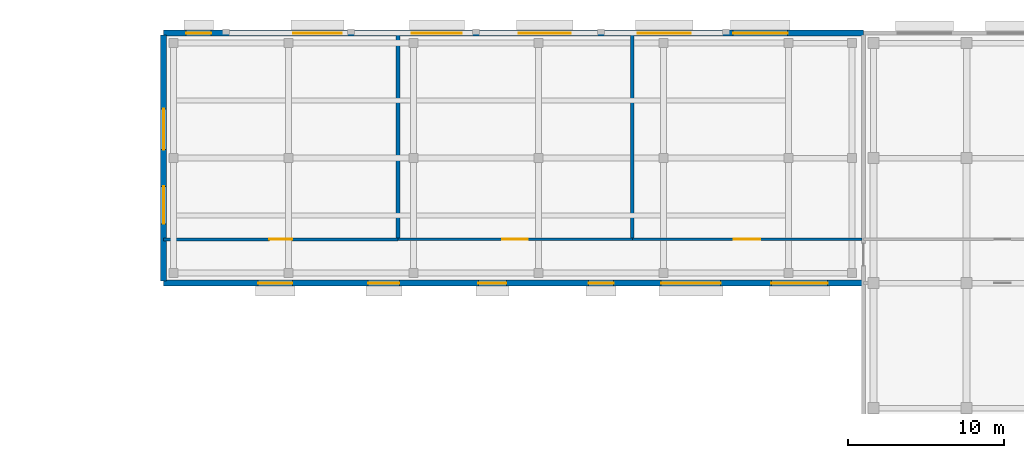
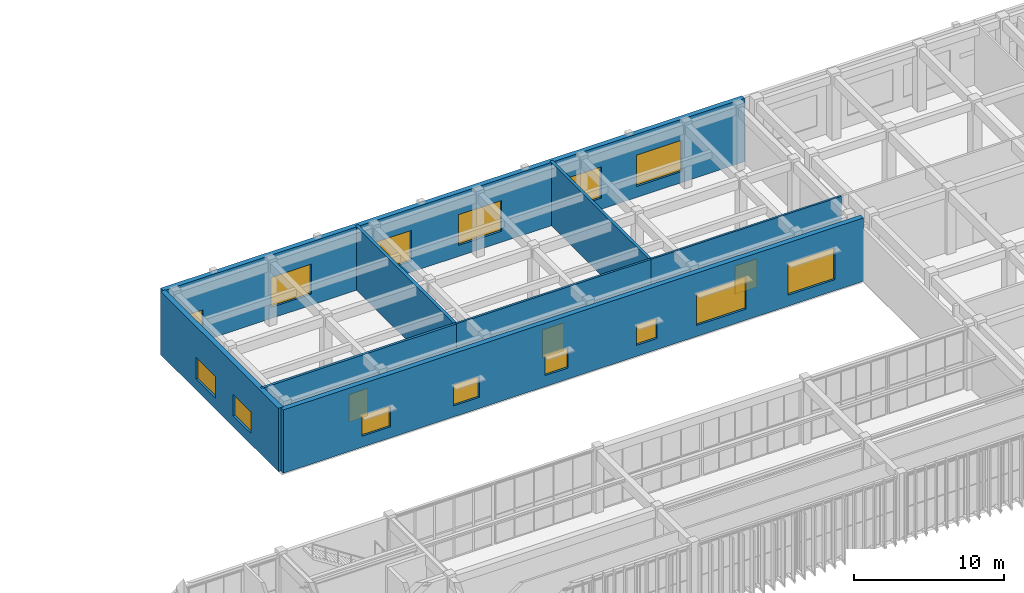
# One storey, part 42 of 64: 14 windows, 8 walls, 3 doors, 17 openings.
"""IFC4 building model written with IfcOpenShell, lengths in metres."""

import ifcopenshell
import ifcopenshell.guid

model = None  # the IFC model being written
_history = None  # IfcOwnerHistory: only IFC2X3 demands one
_inside = {}  # id of a spatial element -> (the spatial element, [elements in it])
_under = {}  # id of a project, library or spatial element -> (it, [spatial elements below it])
_declared = {}  # id of a project -> (the project, [libraries it declares])
_typed = {}  # id of a type object -> (the type object, [elements of that type])
_made_of = {}  # id of a material, layer set ... -> (it, [elements and type objects made of it])


def new_model(schema):
    """Start an empty IFC model of exactly this schema.

    Asked for "IFC4X3", IfcOpenShell would pick the latest addendum, in which some entities
    have other attributes; the version numbers below select the first issue.
    IFC2X3 requires an IfcOwnerHistory on every rooted entity: one is made here for all.
    """
    global model, _history
    if schema == "IFC4X3":
        model = ifcopenshell.file(schema_version=(4, 3, 0, 0))
    else:
        model = ifcopenshell.file(schema=schema)
    _inside.clear()
    _under.clear()
    _declared.clear()
    _typed.clear()
    _made_of.clear()
    _history = None
    if model.schema == "IFC2X3":
        org = make("IfcOrganization", Name="unknown")
        user = make(
            "IfcPersonAndOrganization",
            ThePerson=make("IfcPerson", FamilyName="unknown"),
            TheOrganization=org,
        )
        app = make(
            "IfcApplication",
            ApplicationDeveloper=org,
            Version="unknown",
            ApplicationFullName="unknown",
            ApplicationIdentifier="unknown",
        )
        _history = make(
            "IfcOwnerHistory",
            OwningUser=user,
            OwningApplication=app,
            ChangeAction="ADDED",
            CreationDate=0,
        )
    return model


def make(cls, **values):
    """One entity of the class cls with the attributes given. An attribute that is None is left unset."""
    return model.create_entity(
        cls, **{name: value for name, value in values.items() if value is not None}
    )


def rooted(cls, **values):
    """An entity with a GlobalId (a new one), such as an element, a storey or a relation."""
    return make(cls, GlobalId=ifcopenshell.guid.new(), OwnerHistory=_history, **values)


def si_unit(unit_type, name, prefix=None):
    """IfcSIUnit, for example si_unit("LENGTHUNIT", "METRE", prefix="MILLI")."""
    return make("IfcSIUnit", UnitType=unit_type, Prefix=prefix, Name=name)


def assignment(units):
    """IfcUnitAssignment: the units of a project."""
    return None if units is None else make("IfcUnitAssignment", Units=units)


def point(xyz):
    """IfcCartesianPoint."""
    return None if xyz is None else make("IfcCartesianPoint", Coordinates=xyz)


def direction(xyz):
    """IfcDirection."""
    return None if xyz is None else make("IfcDirection", DirectionRatios=xyz)


def frame(location, z_axis=None, x_axis=None):
    """IfcAxis2Placement3D, a coordinate frame: its origin and axes. An axis left out is left unset."""
    return make(
        "IfcAxis2Placement3D",
        Location=point(location),
        Axis=direction(z_axis),
        RefDirection=direction(x_axis),
    )


def frame_2d(location, x_axis=None):
    """IfcAxis2Placement2D, a coordinate frame in the plane: its origin and x axis."""
    return make(
        "IfcAxis2Placement2D", Location=point(location), RefDirection=direction(x_axis)
    )


def origin():
    """The frame at (0, 0, 0) with its axes left unset."""
    return frame((0.0, 0.0, 0.0))


def place(relative_to, where):
    """IfcLocalPlacement: puts the frame where relative to a parent placement (None: the world)."""
    return make(
        "IfcLocalPlacement", PlacementRelTo=relative_to, RelativePlacement=where
    )


def context(
    kind, dimensions, precision=None, world=None, true_north=None, identifier=None
):
    """IfcGeometricRepresentationContext, for example the 3D "Model" context."""
    return make(
        "IfcGeometricRepresentationContext",
        ContextIdentifier=identifier,
        ContextType=kind,
        CoordinateSpaceDimension=dimensions,
        Precision=precision,
        WorldCoordinateSystem=world,
        TrueNorth=true_north,
    )


def subcontext(parent, identifier, kind, view, scale=None):
    """IfcGeometricRepresentationSubContext, for example "Body" below "Model"."""
    return make(
        "IfcGeometricRepresentationSubContext",
        ContextIdentifier=identifier,
        ContextType=kind,
        ParentContext=parent,
        TargetScale=scale,
        TargetView=view,
    )


def project(units=None, contexts=None):
    """IfcProject with its units and contexts."""
    return rooted(
        "IfcProject",
        Name="project",
        RepresentationContexts=contexts,
        UnitsInContext=assignment(units),
    )


def spatial(cls, under=None, at=None, **own):
    """A site, building, storey or space (cls), placed at a placement, below another one or the project."""
    s = rooted(cls, ObjectPlacement=at, **own)
    if under is not None:
        _under.setdefault(under.id(), (under, []))[1].append(s)
    return s


def profile(cls, at=None, kind="AREA", **sizes):
    """A parametric profile (cls). Its sizes go by their IFC names, for example OverallWidth=200.0."""
    return make(cls, ProfileType=kind, Position=at, **sizes)


def rectangle(**sizes):
    """IfcRectangleProfileDef."""
    return profile("IfcRectangleProfileDef", **sizes)


def extrude(swept, where, along, depth):
    """IfcExtrudedAreaSolid: the profile swept, set in the frame where, extruded along a direction by depth."""
    return make(
        "IfcExtrudedAreaSolid",
        SweptArea=swept,
        Position=where,
        ExtrudedDirection=direction(along),
        Depth=depth,
    )


def shape(context_of_items, identifier, shape_type, items):
    """IfcShapeRepresentation: the items that make up one representation, for example the "Body"."""
    return make(
        "IfcShapeRepresentation",
        ContextOfItems=context_of_items,
        RepresentationIdentifier=identifier,
        RepresentationType=shape_type,
        Items=items,
    )


def material(Name=None, Category=None):
    """IfcMaterial."""
    return make("IfcMaterial", Name=Name, Category=Category)


def layer(
    of_material, thickness, ventilated=None, Name=None, Category=None, Priority=None
):
    """IfcMaterialLayer: one layer of a wall or slab, of a material (None: an air gap)."""
    return make(
        "IfcMaterialLayer",
        Material=of_material,
        LayerThickness=thickness,
        IsVentilated=ventilated,
        Name=Name,
        Category=Category,
        Priority=Priority,
    )


def layer_set(layers, Name=None):
    """IfcMaterialLayerSet."""
    return make("IfcMaterialLayerSet", MaterialLayers=layers, LayerSetName=Name)


def made_of(thing, what):
    """Note that an element or type object is made of a material, layer set ...; save() writes the relation."""
    if what is not None:
        _made_of.setdefault(what.id(), (what, []))[1].append(thing)
    return thing


def type_object(cls, material=None, **own):
    """A type object (cls), such as IfcWallType, which elements share."""
    return made_of(rooted(cls, **own), material)


def element(
    cls,
    number,
    at=None,
    inside=None,
    cuts=None,
    type_object=None,
    material=None,
    context=None,
    identifier="Body",
    shape_type=None,
    held_by="IfcProductDefinitionShape",
    body=None,
    shapes=None,
    **own,
):
    """One element of the class cls, such as IfcWall. Its Tag is "e" and its number.

    at: its placement. inside: the storey or other place that contains it. cuts: it is an
    opening in that element (IfcRelVoidsElement). A single representation is given by context,
    identifier, shape_type and body (its items); several are given by shapes. held_by: the class
    of the entity that holds the representations. save() writes the other relations.
    """
    e = rooted(cls, Tag="e%d" % number, ObjectPlacement=at, **own)
    if body is not None:
        shapes = [shape(context, identifier, shape_type, body)]
    if shapes is not None:
        e.Representation = make(held_by, Representations=shapes)
    if inside is not None:
        _inside.setdefault(inside.id(), (inside, []))[1].append(e)
    if cuts is not None:
        rooted(
            "IfcRelVoidsElement", RelatingBuildingElement=cuts, RelatedOpeningElement=e
        )
    if type_object is not None:
        _typed.setdefault(type_object.id(), (type_object, []))[1].append(e)
    return made_of(e, material)


def fill(opening, filler):
    """IfcRelFillsElement: the door or window that sits in an opening."""
    return rooted(
        "IfcRelFillsElement",
        RelatingOpeningElement=opening,
        RelatedBuildingElement=filler,
    )


def aggregate(whole, parts):
    """IfcRelAggregates: a whole, such as a stair, and the parts it consists of."""
    return rooted("IfcRelAggregates", RelatingObject=whole, RelatedObjects=parts)


def save(model, path):
    """Write the relations noted so far, then the file.

    IfcRelAggregates (storeys below a building ...), IfcRelContainedInSpatialStructure (elements
    in a storey), IfcRelDefinesByType, IfcRelAssociatesMaterial and IfcRelDeclares: one each for
    every whole, place, type object, material and project.
    """
    for whole, parts in _under.values():
        aggregate(whole, parts)
    for where, things in _inside.values():
        rooted(
            "IfcRelContainedInSpatialStructure",
            RelatedElements=things,
            RelatingStructure=where,
        )
    for kind, things in _typed.values():
        rooted("IfcRelDefinesByType", RelatedObjects=things, RelatingType=kind)
    for what, things in _made_of.values():
        rooted("IfcRelAssociatesMaterial", RelatedObjects=things, RelatingMaterial=what)
    for by, libraries in _declared.values():
        rooted("IfcRelDeclares", RelatingContext=by, RelatedDefinitions=libraries)
    model.write(path)


model = new_model("IFC4")

# Units and contexts
model_context = context("Model", 3, precision=1e-05, world=origin(), true_north=direction((0.0, 1.0)))
body_context = subcontext(model_context, "Body", "Model", "MODEL_VIEW")
ifc_project = project(units=[si_unit("LENGTHUNIT", "METRE"), si_unit("AREAUNIT", "SQUARE_METRE"), si_unit("VOLUMEUNIT", "CUBIC_METRE"), si_unit("PLANEANGLEUNIT", "RADIAN"), si_unit("MASSUNIT", "GRAM", prefix="KILO")], contexts=[model_context])

# Site, building, storey
site_placement = place(None, origin())
site = spatial("IfcSite", under=ifc_project, at=site_placement, CompositionType="ELEMENT")
building_placement = place(site_placement, origin())
building = spatial("IfcBuilding", under=site, at=building_placement, Name="Cinchona Park Media Centre", CompositionType="ELEMENT")
storey_placement = place(building_placement, frame((0.0, 0.0, 10.199951171875)))
storey = spatial("IfcBuildingStorey", under=building, at=storey_placement, Name="L02", CompositionType="ELEMENT", Elevation=10.199951171875)

# Walls
ifc_material_1 = material(Name="Acoustic Double-Stud Gypsum Partition", Category="gypsum")
ifc_layer_1 = layer(ifc_material_1, 0.2099609375)
ifc_layer_set_1 = layer_set([ifc_layer_1], Name="Acoustic Double-Stud Gypsum Partition")
wall_type_1 = type_object("IfcWallType", Name="WALL-W-AC210", PredefinedType="PARTITIONING", material=ifc_layer_set_1)
wall_1_placement = place(storey_placement, frame((124.800048828125, 118.0, 0.0), z_axis=(0.0, 0.0, 1.0), x_axis=(0.0, -1.0, 0.0)))
element("IfcWall", 1, at=wall_1_placement, inside=storey, type_object=wall_type_1, Name="Interior Wall W-AC210 L02", PredefinedType="PARTITIONING", context=body_context, shape_type="SweptSolid", body=[
    extrude(rectangle(XDim=13.199951171875, YDim=0.2099609375, at=frame_2d((6.60009765625, 0.0))), origin(), (0.0, 0.0, 1.0), 5.16015625),
])
ifc_material_2 = material(Name="Acoustic Double-Stud Gypsum Partition", Category="gypsum")
ifc_layer_2 = layer(ifc_material_2, 0.239990234375)
ifc_layer_set_2 = layer_set([ifc_layer_2], Name="Acoustic Double-Stud Gypsum Partition")
wall_type_2 = type_object("IfcWallType", Name="WALL-W-AC240", PredefinedType="PARTITIONING", material=ifc_layer_set_2)
wall_2_placement = place(storey_placement, frame((109.800048828125, 118.0, 0.0), z_axis=(0.0, 0.0, 1.0), x_axis=(0.0, -1.0, 0.0)))
element("IfcWall", 2, at=wall_2_placement, inside=storey, type_object=wall_type_2, Name="Interior Wall W-AC240 L02", PredefinedType="PARTITIONING", context=body_context, shape_type="SweptSolid", body=[
    extrude(rectangle(XDim=13.199951171875, YDim=0.239990234375, at=frame_2d((6.60009765625, 0.0))), origin(), (0.0, 0.0, 1.0), 5.16015625),
])

# Wall, openings, windows
ifc_material_3 = material(Name="Precast concrete C40/50", Category="concrete")
ifc_layer_3 = layer(ifc_material_3, 0.3798828125)
ifc_layer_set_3 = layer_set([ifc_layer_3], Name="Precast concrete C40/50")
wall_type_3 = type_object("IfcWallType", Name="WALL-W-EX01", PredefinedType="SOLIDWALL", material=ifc_layer_set_3)
wall_3_placement = place(storey_placement, frame((94.800048828125, 118.0, 0.0), z_axis=(0.0, 0.0, 1.0), x_axis=(1.0, 0.0, 0.0)))
wall_3 = element("IfcWall", 3, at=wall_3_placement, inside=storey, type_object=wall_type_3, Name="Exterior Wall W-EX01 V3 L02", PredefinedType="SOLIDWALL", context=body_context, shape_type="SweptSolid", body=[
    extrude(rectangle(XDim=44.794921875, YDim=0.3798828125, at=frame_2d((22.3974609375, 0.0))), origin(), (0.0, 0.0, 1.0), 5.16015625),
])
opening_1_placement = place(wall_3_placement, frame((1.449951171875, 0.0, 0.89990234375)))
opening_1 = element("IfcOpeningElement", 4, at=opening_1_placement, cuts=wall_3, Name="Opening WN25", PredefinedType="OPENING", context=body_context, shape_type="SweptSolid", body=[
    extrude(rectangle(XDim=1.60009765625, YDim=1.64990234375, at=frame_2d((0.800048828125, 0.824951171875))), frame((0.0, 0.199951171875, 0.0), z_axis=(0.0, -1.0, 0.0), x_axis=(1.0, 0.0, 0.0)), (0.0, 0.0, 1.0), 0.39990234375),
])
opening_2_placement = place(wall_3_placement, frame((8.300048828125, 0.0, 0.89990234375)))
opening_2 = element("IfcOpeningElement", 5, at=opening_2_placement, cuts=wall_3, Name="Opening WN18", PredefinedType="OPENING", context=body_context, shape_type="SweptSolid", body=[
    extrude(rectangle(XDim=3.10009765625, YDim=2.449951171875, at=frame_2d((1.550048828125, 1.22509765625))), frame((0.0, 0.199951171875, 0.0), z_axis=(0.0, -1.0, 0.0), x_axis=(1.0, 0.0, 0.0)), (0.0, 0.0, 1.0), 0.39990234375),
])
opening_3_placement = place(wall_3_placement, frame((15.89990234375, 0.0, 0.89990234375)))
opening_3 = element("IfcOpeningElement", 6, at=opening_3_placement, cuts=wall_3, Name="Opening WN19", PredefinedType="OPENING", context=body_context, shape_type="SweptSolid", body=[
    extrude(rectangle(XDim=3.199951171875, YDim=2.5, at=frame_2d((1.60009765625, 1.25))), frame((0.0, 0.199951171875, 0.0), z_axis=(0.0, -1.0, 0.0), x_axis=(1.0, 0.0, 0.0)), (0.0, 0.0, 1.0), 0.39990234375),
])
opening_4_placement = place(wall_3_placement, frame((22.75, 0.0, 0.89990234375)))
opening_4 = element("IfcOpeningElement", 7, at=opening_4_placement, cuts=wall_3, Name="Opening WN20", PredefinedType="OPENING", context=body_context, shape_type="SweptSolid", body=[
    extrude(rectangle(XDim=3.300048828125, YDim=2.5, at=frame_2d((1.64990234375, 1.25))), frame((0.0, 0.199951171875, 0.0), z_axis=(0.0, -1.0, 0.0), x_axis=(1.0, 0.0, 0.0)), (0.0, 0.0, 1.0), 0.39990234375),
])
opening_5_placement = place(wall_3_placement, frame((30.35009765625, 0.0, 0.89990234375)))
opening_5 = element("IfcOpeningElement", 8, at=opening_5_placement, cuts=wall_3, Name="Opening WN21", PredefinedType="OPENING", context=body_context, shape_type="SweptSolid", body=[
    extrude(rectangle(XDim=3.39990234375, YDim=2.550048828125, at=frame_2d((1.699951171875, 1.27490234375))), frame((0.0, 0.199951171875, 0.0), z_axis=(0.0, -1.0, 0.0), x_axis=(1.0, 0.0, 0.0)), (0.0, 0.0, 1.0), 0.39990234375),
])
opening_6_placement = place(wall_3_placement, frame((36.449951171875, 0.0, 0.89990234375)))
opening_6 = element("IfcOpeningElement", 9, at=opening_6_placement, cuts=wall_3, Name="Opening WN22", PredefinedType="OPENING", context=body_context, shape_type="SweptSolid", body=[
    extrude(rectangle(XDim=3.5, YDim=2.550048828125, at=frame_2d((1.75, 1.27490234375))), frame((0.0, 0.199951171875, 0.0), z_axis=(0.0, -1.0, 0.0), x_axis=(1.0, 0.0, 0.0)), (0.0, 0.0, 1.0), 0.39990234375),
])
ifc_material_4 = material(Name="Thermally Broken Aluminium Solar-Control Window", Category="aluminium")
window_type_1 = type_object("IfcWindowType", Name="WIN-WN18", PartitioningType="SINGLE_PANEL", PredefinedType="WINDOW", material=ifc_material_4)
window_1_placement = place(opening_2_placement, origin())
window_1 = element("IfcWindow", 10, at=window_1_placement, inside=storey, type_object=window_type_1, Name="Window WN18 L02", OverallHeight=2.449951171875, OverallWidth=3.10009765625, PartitioningType="SINGLE_PANEL", PredefinedType="WINDOW", context=body_context, shape_type="SweptSolid", body=[
    extrude(rectangle(XDim=3.10009765625, YDim=2.449951171875, at=frame_2d((1.550048828125, 1.22509765625))), frame((0.0, 0.030029296875, 0.0), z_axis=(0.0, -1.0, 0.0), x_axis=(1.0, 0.0, 0.0)), (0.0, 0.0, 1.0), 0.06005859375),
])
fill(opening_2, window_1)
ifc_material_5 = material(Name="Thermally Broken Aluminium Solar-Control Window", Category="aluminium")
window_type_2 = type_object("IfcWindowType", Name="WIN-WN19", PartitioningType="SINGLE_PANEL", PredefinedType="WINDOW", material=ifc_material_5)
window_2_placement = place(opening_3_placement, origin())
window_2 = element("IfcWindow", 11, at=window_2_placement, inside=storey, type_object=window_type_2, Name="Window WN19 L02", OverallHeight=2.5, OverallWidth=3.199951171875, PartitioningType="SINGLE_PANEL", PredefinedType="WINDOW", context=body_context, shape_type="SweptSolid", body=[
    extrude(rectangle(XDim=3.199951171875, YDim=2.5, at=frame_2d((1.60009765625, 1.25))), frame((0.0, 0.030029296875, 0.0), z_axis=(0.0, -1.0, 0.0), x_axis=(1.0, 0.0, 0.0)), (0.0, 0.0, 1.0), 0.06005859375),
])
fill(opening_3, window_2)
ifc_material_6 = material(Name="Thermally Broken Aluminium Solar-Control Window", Category="aluminium")
window_type_3 = type_object("IfcWindowType", Name="WIN-WN20", PartitioningType="SINGLE_PANEL", PredefinedType="WINDOW", material=ifc_material_6)
window_3_placement = place(opening_4_placement, origin())
window_3 = element("IfcWindow", 12, at=window_3_placement, inside=storey, type_object=window_type_3, Name="Window WN20 L02", OverallHeight=2.5, OverallWidth=3.300048828125, PartitioningType="SINGLE_PANEL", PredefinedType="WINDOW", context=body_context, shape_type="SweptSolid", body=[
    extrude(rectangle(XDim=3.300048828125, YDim=2.5, at=frame_2d((1.64990234375, 1.25))), frame((0.0, 0.030029296875, 0.0), z_axis=(0.0, -1.0, 0.0), x_axis=(1.0, 0.0, 0.0)), (0.0, 0.0, 1.0), 0.06005859375),
])
fill(opening_4, window_3)
ifc_material_7 = material(Name="Thermally Broken Aluminium Solar-Control Window", Category="aluminium")
window_type_4 = type_object("IfcWindowType", Name="WIN-WN21", PartitioningType="SINGLE_PANEL", PredefinedType="WINDOW", material=ifc_material_7)
window_4_placement = place(opening_5_placement, origin())
window_4 = element("IfcWindow", 13, at=window_4_placement, inside=storey, type_object=window_type_4, Name="Window WN21 L02", OverallHeight=2.550048828125, OverallWidth=3.39990234375, PartitioningType="SINGLE_PANEL", PredefinedType="WINDOW", context=body_context, shape_type="SweptSolid", body=[
    extrude(rectangle(XDim=3.39990234375, YDim=2.550048828125, at=frame_2d((1.699951171875, 1.27490234375))), frame((0.0, 0.030029296875, 0.0), z_axis=(0.0, -1.0, 0.0), x_axis=(1.0, 0.0, 0.0)), (0.0, 0.0, 1.0), 0.06005859375),
])
fill(opening_5, window_4)
ifc_material_8 = material(Name="Thermally Broken Aluminium Solar-Control Window", Category="aluminium")
window_type_5 = type_object("IfcWindowType", Name="WIN-WN22", PartitioningType="SINGLE_PANEL", PredefinedType="WINDOW", material=ifc_material_8)
window_5_placement = place(opening_6_placement, origin())
window_5 = element("IfcWindow", 14, at=window_5_placement, inside=storey, type_object=window_type_5, Name="Window WN22 L02", OverallHeight=2.550048828125, OverallWidth=3.5, PartitioningType="SINGLE_PANEL", PredefinedType="WINDOW", context=body_context, shape_type="SweptSolid", body=[
    extrude(rectangle(XDim=3.5, YDim=2.550048828125, at=frame_2d((1.75, 1.27490234375))), frame((0.0, 0.030029296875, 0.0), z_axis=(0.0, -1.0, 0.0), x_axis=(1.0, 0.0, 0.0)), (0.0, 0.0, 1.0), 0.06005859375),
])
fill(opening_6, window_5)
ifc_material_9 = material(Name="Thermally Broken Aluminium Solar-Control Window", Category="aluminium")
window_type_6 = type_object("IfcWindowType", Name="WIN-WN25", PartitioningType="SINGLE_PANEL", PredefinedType="WINDOW", material=ifc_material_9)
window_6_placement = place(opening_1_placement, origin())
window_6 = element("IfcWindow", 15, at=window_6_placement, inside=storey, type_object=window_type_6, Name="Window WN25 L02", OverallHeight=1.64990234375, OverallWidth=1.60009765625, PartitioningType="SINGLE_PANEL", PredefinedType="WINDOW", context=body_context, shape_type="SweptSolid", body=[
    extrude(rectangle(XDim=1.60009765625, YDim=1.64990234375, at=frame_2d((0.800048828125, 0.824951171875))), frame((0.0, 0.030029296875, 0.0), z_axis=(0.0, -1.0, 0.0), x_axis=(1.0, 0.0, 0.0)), (0.0, 0.0, 1.0), 0.06005859375),
])
fill(opening_1, window_6)

wall_4_placement = place(storey_placement, frame((139.5, 102.0, 0.0), z_axis=(0.0, 0.0, 1.0), x_axis=(-1.0, 0.0, 0.0)))
wall_4 = element("IfcWall", 16, at=wall_4_placement, inside=storey, type_object=wall_type_3, Name="Exterior Wall W-EX01 V3 L02", PredefinedType="SOLIDWALL", context=body_context, shape_type="SweptSolid", body=[
    extrude(rectangle(XDim=44.699951171875, YDim=0.3798828125, at=frame_2d((22.35009765625, 0.0))), origin(), (0.0, 0.0, 1.0), 5.16015625),
])
opening_7_placement = place(wall_4_placement, frame((2.199951171875, 0.0, 0.89990234375)))
opening_7 = element("IfcOpeningElement", 17, at=opening_7_placement, cuts=wall_4, Name="Opening WN23", PredefinedType="OPENING", context=body_context, shape_type="SweptSolid", body=[
    extrude(rectangle(XDim=3.60009765625, YDim=2.60009765625, at=frame_2d((1.800048828125, 1.300048828125))), frame((0.0, 0.199951171875, 0.0), z_axis=(0.0, -1.0, 0.0), x_axis=(1.0, 0.0, 0.0)), (0.0, 0.0, 1.0), 0.39990234375),
])
opening_8_placement = place(wall_4_placement, frame((9.050048828125, 0.0, 0.89990234375)))
opening_8 = element("IfcOpeningElement", 18, at=opening_8_placement, cuts=wall_4, Name="Opening WN24", PredefinedType="OPENING", context=body_context, shape_type="SweptSolid", body=[
    extrude(rectangle(XDim=3.800048828125, YDim=2.60009765625, at=frame_2d((1.89990234375, 1.300048828125))), frame((0.0, 0.199951171875, 0.0), z_axis=(0.0, -1.0, 0.0), x_axis=(1.0, 0.0, 0.0)), (0.0, 0.0, 1.0), 0.39990234375),
])
opening_9_placement = place(wall_4_placement, frame((15.89990234375, 0.0, 0.89990234375)))
opening_9 = element("IfcOpeningElement", 19, at=opening_9_placement, cuts=wall_4, Name="Opening WN25", PredefinedType="OPENING", context=body_context, shape_type="SweptSolid", body=[
    extrude(rectangle(XDim=1.60009765625, YDim=1.64990234375, at=frame_2d((0.800048828125, 0.824951171875))), frame((0.0, 0.199951171875, 0.0), z_axis=(0.0, -1.0, 0.0), x_axis=(1.0, 0.0, 0.0)), (0.0, 0.0, 1.0), 0.39990234375),
])
opening_10_placement = place(wall_4_placement, frame((22.75, 0.0, 0.89990234375)))
opening_10 = element("IfcOpeningElement", 20, at=opening_10_placement, cuts=wall_4, Name="Opening WN26", PredefinedType="OPENING", context=body_context, shape_type="SweptSolid", body=[
    extrude(rectangle(XDim=1.800048828125, YDim=1.64990234375, at=frame_2d((0.89990234375, 0.824951171875))), frame((0.0, 0.199951171875, 0.0), z_axis=(0.0, -1.0, 0.0), x_axis=(1.0, 0.0, 0.0)), (0.0, 0.0, 1.0), 0.39990234375),
])
opening_11_placement = place(wall_4_placement, frame((29.60009765625, 0.0, 0.89990234375)))
opening_11 = element("IfcOpeningElement", 21, at=opening_11_placement, cuts=wall_4, Name="Opening WN27", PredefinedType="OPENING", context=body_context, shape_type="SweptSolid", body=[
    extrude(rectangle(XDim=2.0, YDim=1.699951171875, at=frame_2d((1.0, 0.85009765625))), frame((0.0, 0.199951171875, 0.0), z_axis=(0.0, -1.0, 0.0), x_axis=(1.0, 0.0, 0.0)), (0.0, 0.0, 1.0), 0.39990234375),
])
opening_12_placement = place(wall_4_placement, frame((36.449951171875, 0.0, 0.89990234375)))
opening_12 = element("IfcOpeningElement", 22, at=opening_12_placement, cuts=wall_4, Name="Opening WN28", PredefinedType="OPENING", context=body_context, shape_type="SweptSolid", body=[
    extrude(rectangle(XDim=2.199951171875, YDim=1.699951171875, at=frame_2d((1.10009765625, 0.85009765625))), frame((0.0, 0.199951171875, 0.0), z_axis=(0.0, -1.0, 0.0), x_axis=(1.0, 0.0, 0.0)), (0.0, 0.0, 1.0), 0.39990234375),
])
ifc_material_10 = material(Name="Thermally Broken Aluminium Solar-Control Window", Category="aluminium")
window_type_7 = type_object("IfcWindowType", Name="WIN-WN23", PartitioningType="SINGLE_PANEL", PredefinedType="WINDOW", material=ifc_material_10)
window_7_placement = place(opening_7_placement, origin())
window_7 = element("IfcWindow", 23, at=window_7_placement, inside=storey, type_object=window_type_7, Name="Window WN23 L02", OverallHeight=2.60009765625, OverallWidth=3.60009765625, PartitioningType="SINGLE_PANEL", PredefinedType="WINDOW", context=body_context, shape_type="SweptSolid", body=[
    extrude(rectangle(XDim=3.60009765625, YDim=2.60009765625, at=frame_2d((1.800048828125, 1.300048828125))), frame((0.0, 0.030029296875, 0.0), z_axis=(0.0, -1.0, 0.0), x_axis=(1.0, 0.0, 0.0)), (0.0, 0.0, 1.0), 0.06005859375),
])
fill(opening_7, window_7)
ifc_material_11 = material(Name="Thermally Broken Aluminium Solar-Control Window", Category="aluminium")
window_type_8 = type_object("IfcWindowType", Name="WIN-WN24", PartitioningType="SINGLE_PANEL", PredefinedType="WINDOW", material=ifc_material_11)
window_8_placement = place(opening_8_placement, origin())
window_8 = element("IfcWindow", 24, at=window_8_placement, inside=storey, type_object=window_type_8, Name="Window WN24 L02", OverallHeight=2.60009765625, OverallWidth=3.800048828125, PartitioningType="SINGLE_PANEL", PredefinedType="WINDOW", context=body_context, shape_type="SweptSolid", body=[
    extrude(rectangle(XDim=3.800048828125, YDim=2.60009765625, at=frame_2d((1.89990234375, 1.300048828125))), frame((0.0, 0.030029296875, 0.0), z_axis=(0.0, -1.0, 0.0), x_axis=(1.0, 0.0, 0.0)), (0.0, 0.0, 1.0), 0.06005859375),
])
fill(opening_8, window_8)
window_9_placement = place(opening_9_placement, origin())
window_9 = element("IfcWindow", 25, at=window_9_placement, inside=storey, type_object=window_type_6, Name="Window WN25 L02", OverallHeight=1.64990234375, OverallWidth=1.60009765625, PartitioningType="SINGLE_PANEL", PredefinedType="WINDOW", context=body_context, shape_type="SweptSolid", body=[
    extrude(rectangle(XDim=1.60009765625, YDim=1.64990234375, at=frame_2d((0.800048828125, 0.824951171875))), frame((0.0, 0.030029296875, 0.0), z_axis=(0.0, -1.0, 0.0), x_axis=(1.0, 0.0, 0.0)), (0.0, 0.0, 1.0), 0.06005859375),
])
fill(opening_9, window_9)
ifc_material_12 = material(Name="Thermally Broken Aluminium Solar-Control Window", Category="aluminium")
window_type_9 = type_object("IfcWindowType", Name="WIN-WN26", PartitioningType="SINGLE_PANEL", PredefinedType="WINDOW", material=ifc_material_12)
window_10_placement = place(opening_10_placement, origin())
window_10 = element("IfcWindow", 26, at=window_10_placement, inside=storey, type_object=window_type_9, Name="Window WN26 L02", OverallHeight=1.64990234375, OverallWidth=1.800048828125, PartitioningType="SINGLE_PANEL", PredefinedType="WINDOW", context=body_context, shape_type="SweptSolid", body=[
    extrude(rectangle(XDim=1.800048828125, YDim=1.64990234375, at=frame_2d((0.89990234375, 0.824951171875))), frame((0.0, 0.030029296875, 0.0), z_axis=(0.0, -1.0, 0.0), x_axis=(1.0, 0.0, 0.0)), (0.0, 0.0, 1.0), 0.06005859375),
])
fill(opening_10, window_10)
ifc_material_13 = material(Name="Thermally Broken Aluminium Solar-Control Window", Category="aluminium")
window_type_10 = type_object("IfcWindowType", Name="WIN-WN27", PartitioningType="SINGLE_PANEL", PredefinedType="WINDOW", material=ifc_material_13)
window_11_placement = place(opening_11_placement, origin())
window_11 = element("IfcWindow", 27, at=window_11_placement, inside=storey, type_object=window_type_10, Name="Window WN27 L02", OverallHeight=1.699951171875, OverallWidth=2.0, PartitioningType="SINGLE_PANEL", PredefinedType="WINDOW", context=body_context, shape_type="SweptSolid", body=[
    extrude(rectangle(XDim=2.0, YDim=1.699951171875, at=frame_2d((1.0, 0.85009765625))), frame((0.0, 0.030029296875, 0.0), z_axis=(0.0, -1.0, 0.0), x_axis=(1.0, 0.0, 0.0)), (0.0, 0.0, 1.0), 0.06005859375),
])
fill(opening_11, window_11)
ifc_material_14 = material(Name="Thermally Broken Aluminium Solar-Control Window", Category="aluminium")
window_type_11 = type_object("IfcWindowType", Name="WIN-WN28", PartitioningType="SINGLE_PANEL", PredefinedType="WINDOW", material=ifc_material_14)
window_12_placement = place(opening_12_placement, origin())
window_12 = element("IfcWindow", 28, at=window_12_placement, inside=storey, type_object=window_type_11, Name="Window WN28 L02", OverallHeight=1.699951171875, OverallWidth=2.199951171875, PartitioningType="SINGLE_PANEL", PredefinedType="WINDOW", context=body_context, shape_type="SweptSolid", body=[
    extrude(rectangle(XDim=2.199951171875, YDim=1.699951171875, at=frame_2d((1.10009765625, 0.85009765625))), frame((0.0, 0.030029296875, 0.0), z_axis=(0.0, -1.0, 0.0), x_axis=(1.0, 0.0, 0.0)), (0.0, 0.0, 1.0), 0.06005859375),
])
fill(opening_12, window_12)

wall_5_placement = place(storey_placement, frame((94.800048828125, 102.139892578125, 0.0), z_axis=(0.0, 0.0, 1.0), x_axis=(0.0, 1.0, 0.0)))
wall_5 = element("IfcWall", 29, at=wall_5_placement, inside=storey, type_object=wall_type_3, Name="Exterior Wall W-EX01 V3 L02", PredefinedType="SOLIDWALL", context=body_context, shape_type="SweptSolid", body=[
    extrude(rectangle(XDim=15.72021484375, YDim=0.3798828125, at=frame_2d((7.860107421875, 0.0))), origin(), (0.0, 0.0, 1.0), 5.16015625),
])
opening_13_placement = place(wall_5_placement, frame((3.64990234375, 0.0, 0.89990234375)))
opening_13 = element("IfcOpeningElement", 30, at=opening_13_placement, cuts=wall_5, Name="Opening WN29", PredefinedType="OPENING", context=body_context, shape_type="SweptSolid", body=[
    extrude(rectangle(XDim=2.39990234375, YDim=1.75, at=frame_2d((1.199951171875, 0.875))), frame((0.0, 0.199951171875, 0.0), z_axis=(0.0, -1.0, 0.0), x_axis=(1.0, 0.0, 0.0)), (0.0, 0.0, 1.0), 0.39990234375),
])
opening_14_placement = place(wall_5_placement, frame((8.39990234375, 0.0, 0.89990234375)))
opening_14 = element("IfcOpeningElement", 31, at=opening_14_placement, cuts=wall_5, Name="Opening WN30", PredefinedType="OPENING", context=body_context, shape_type="SweptSolid", body=[
    extrude(rectangle(XDim=2.60009765625, YDim=1.75, at=frame_2d((1.300048828125, 0.875))), frame((0.0, 0.199951171875, 0.0), z_axis=(0.0, -1.0, 0.0), x_axis=(1.0, 0.0, 0.0)), (0.0, 0.0, 1.0), 0.39990234375),
])
ifc_material_15 = material(Name="Thermally Broken Aluminium Solar-Control Window", Category="aluminium")
window_type_12 = type_object("IfcWindowType", Name="WIN-WN29", PartitioningType="SINGLE_PANEL", PredefinedType="WINDOW", material=ifc_material_15)
window_13_placement = place(opening_13_placement, origin())
window_13 = element("IfcWindow", 32, at=window_13_placement, inside=storey, type_object=window_type_12, Name="Window WN29 L02", OverallHeight=1.75, OverallWidth=2.39990234375, PartitioningType="SINGLE_PANEL", PredefinedType="WINDOW", context=body_context, shape_type="SweptSolid", body=[
    extrude(rectangle(XDim=2.39990234375, YDim=1.75, at=frame_2d((1.199951171875, 0.875))), frame((0.0, 0.030029296875, 0.0), z_axis=(0.0, -1.0, 0.0), x_axis=(1.0, 0.0, 0.0)), (0.0, 0.0, 1.0), 0.06005859375),
])
fill(opening_13, window_13)
ifc_material_16 = material(Name="Thermally Broken Aluminium Solar-Control Window", Category="aluminium")
window_type_13 = type_object("IfcWindowType", Name="WIN-WN30", PartitioningType="SINGLE_PANEL", PredefinedType="WINDOW", material=ifc_material_16)
window_14_placement = place(opening_14_placement, origin())
window_14 = element("IfcWindow", 33, at=window_14_placement, inside=storey, type_object=window_type_13, Name="Window WN30 L02", OverallHeight=1.75, OverallWidth=2.60009765625, PartitioningType="SINGLE_PANEL", PredefinedType="WINDOW", context=body_context, shape_type="SweptSolid", body=[
    extrude(rectangle(XDim=2.60009765625, YDim=1.75, at=frame_2d((1.300048828125, 0.875))), frame((0.0, 0.030029296875, 0.0), z_axis=(0.0, -1.0, 0.0), x_axis=(1.0, 0.0, 0.0)), (0.0, 0.0, 1.0), 0.06005859375),
])
fill(opening_14, window_14)

# Wall, opening, door
ifc_material_17 = material(Name="Fire-Rated Gypsum Stud Partition", Category="gypsum")
ifc_layer_4 = layer(ifc_material_17, 0.14990234375)
ifc_layer_set_4 = layer_set([ifc_layer_4], Name="Fire-Rated Gypsum Stud Partition")
wall_type_4 = type_object("IfcWallType", Name="WALL-W-PT150", PredefinedType="PARTITIONING", material=ifc_layer_set_4)
wall_6_placement = place(storey_placement, frame((124.800048828125, 104.800048828125, 0.0), z_axis=(0.0, 0.0, 1.0), x_axis=(1.0, 0.0, 0.0)))
wall_6 = element("IfcWall", 34, at=wall_6_placement, inside=storey, type_object=wall_type_4, Name="Interior Wall W-PT150 L02", PredefinedType="PARTITIONING", context=body_context, shape_type="SweptSolid", body=[
    extrude(rectangle(XDim=14.699951171875, YDim=0.14990234375, at=frame_2d((7.35009765625, 0.0))), origin(), (0.0, 0.0, 1.0), 5.16015625),
])
opening_15_placement = place(wall_6_placement, frame((6.5, 0.0, 0.0)))
opening_15 = element("IfcOpeningElement", 35, at=opening_15_placement, cuts=wall_6, Name="Opening D292", PredefinedType="OPENING", context=body_context, shape_type="SweptSolid", body=[
    extrude(rectangle(XDim=1.699951171875, YDim=2.300048828125, at=frame_2d((0.85009765625, 1.14990234375))), frame((0.0, 0.0849609375, 0.0), z_axis=(0.0, -1.0, 0.0), x_axis=(1.0, 0.0, 0.0)), (0.0, 0.0, 1.0), 0.169921875),
])
ifc_material_18 = material(Name="Fire-Rated Acoustic Timber-Steel Door", Category="steel")
door_type_1 = type_object("IfcDoorType", Name="DOOR-DT19", OperationType="NOTDEFINED", PredefinedType="DOOR", material=ifc_material_18)
door_1_placement = place(opening_15_placement, origin())
door_1 = element("IfcDoor", 36, at=door_1_placement, inside=storey, type_object=door_type_1, Name="Interior Door D292", OperationType="SINGLE_SWING_RIGHT", OverallHeight=2.300048828125, OverallWidth=1.699951171875, PredefinedType="DOOR", context=body_context, shape_type="SweptSolid", body=[
    extrude(rectangle(XDim=1.699951171875, YDim=2.300048828125, at=frame_2d((0.85009765625, 1.14990234375))), frame((0.0, 0.02490234375, 0.0), z_axis=(0.0, -1.0, 0.0), x_axis=(1.0, 0.0, 0.0)), (0.0, 0.0, 1.0), 0.050048828125),
])
fill(opening_15, door_1)

ifc_material_19 = material(Name="Fire-Rated Gypsum Stud Partition", Category="gypsum")
ifc_layer_5 = layer(ifc_material_19, 0.1650390625)
ifc_layer_set_5 = layer_set([ifc_layer_5], Name="Fire-Rated Gypsum Stud Partition")
wall_type_5 = type_object("IfcWallType", Name="WALL-W-PT165", PredefinedType="PARTITIONING", material=ifc_layer_set_5)
wall_7_placement = place(storey_placement, frame((109.800048828125, 104.800048828125, 0.0), z_axis=(0.0, 0.0, 1.0), x_axis=(1.0, 0.0, 0.0)))
wall_7 = element("IfcWall", 37, at=wall_7_placement, inside=storey, type_object=wall_type_5, Name="Interior Wall W-PT165 L02", PredefinedType="PARTITIONING", context=body_context, shape_type="SweptSolid", body=[
    extrude(rectangle(XDim=15.0, YDim=0.1650390625, at=frame_2d((7.5, 0.0))), origin(), (0.0, 0.0, 1.0), 5.16015625),
])
opening_16_placement = place(wall_7_placement, frame((6.675048828125, 0.0, 0.0)))
opening_16 = element("IfcOpeningElement", 38, at=opening_16_placement, cuts=wall_7, Name="Opening D291", PredefinedType="OPENING", context=body_context, shape_type="SweptSolid", body=[
    extrude(rectangle(XDim=1.64990234375, YDim=2.300048828125, at=frame_2d((0.824951171875, 1.14990234375))), frame((0.0, 0.092529296875, 0.0), z_axis=(0.0, -1.0, 0.0), x_axis=(1.0, 0.0, 0.0)), (0.0, 0.0, 1.0), 0.18505859375),
])
ifc_material_20 = material(Name="Fire-Rated Acoustic Timber-Steel Door", Category="steel")
door_type_2 = type_object("IfcDoorType", Name="DOOR-DT18", OperationType="NOTDEFINED", PredefinedType="DOOR", material=ifc_material_20)
door_2_placement = place(opening_16_placement, origin())
door_2 = element("IfcDoor", 39, at=door_2_placement, inside=storey, type_object=door_type_2, Name="Interior Door D291", OperationType="SINGLE_SWING_LEFT", OverallHeight=2.300048828125, OverallWidth=1.64990234375, PredefinedType="DOOR", context=body_context, shape_type="SweptSolid", body=[
    extrude(rectangle(XDim=1.64990234375, YDim=2.300048828125, at=frame_2d((0.824951171875, 1.14990234375))), frame((0.0, 0.02490234375, 0.0), z_axis=(0.0, -1.0, 0.0), x_axis=(1.0, 0.0, 0.0)), (0.0, 0.0, 1.0), 0.050048828125),
])
fill(opening_16, door_2)

ifc_material_21 = material(Name="Fire-Rated Gypsum Stud Partition", Category="gypsum")
ifc_layer_6 = layer(ifc_material_21, 0.18994140625)
ifc_layer_set_6 = layer_set([ifc_layer_6], Name="Fire-Rated Gypsum Stud Partition")
wall_type_6 = type_object("IfcWallType", Name="WALL-W-PT190", PredefinedType="PARTITIONING", material=ifc_layer_set_6)
wall_8_placement = place(storey_placement, frame((94.800048828125, 104.800048828125, 0.0), z_axis=(0.0, 0.0, 1.0), x_axis=(1.0, 0.0, 0.0)))
wall_8 = element("IfcWall", 40, at=wall_8_placement, inside=storey, type_object=wall_type_6, Name="Interior Wall W-PT190 L02", PredefinedType="PARTITIONING", context=body_context, shape_type="SweptSolid", body=[
    extrude(rectangle(XDim=15.0, YDim=0.18994140625, at=frame_2d((7.5, 0.0))), origin(), (0.0, 0.0, 1.0), 5.16015625),
])
opening_17_placement = place(wall_8_placement, frame((6.77490234375, 0.0, 0.0)))
opening_17 = element("IfcOpeningElement", 41, at=opening_17_placement, cuts=wall_8, Name="Opening D290", PredefinedType="OPENING", context=body_context, shape_type="SweptSolid", body=[
    extrude(rectangle(XDim=1.449951171875, YDim=2.25, at=frame_2d((0.72509765625, 1.125))), frame((0.0, 0.10498046875, 0.0), z_axis=(0.0, -1.0, 0.0), x_axis=(1.0, 0.0, 0.0)), (0.0, 0.0, 1.0), 0.2099609375),
])
ifc_material_22 = material(Name="Fire-Rated Acoustic Timber-Steel Door", Category="steel")
door_type_3 = type_object("IfcDoorType", Name="DOOR-DT14", OperationType="NOTDEFINED", PredefinedType="DOOR", material=ifc_material_22)
door_3_placement = place(opening_17_placement, origin())
door_3 = element("IfcDoor", 42, at=door_3_placement, inside=storey, type_object=door_type_3, Name="Interior Door D290", OperationType="SINGLE_SWING_RIGHT", OverallHeight=2.25, OverallWidth=1.449951171875, PredefinedType="DOOR", context=body_context, shape_type="SweptSolid", body=[
    extrude(rectangle(XDim=1.449951171875, YDim=2.25, at=frame_2d((0.72509765625, 1.125))), frame((0.0, 0.02490234375, 0.0), z_axis=(0.0, -1.0, 0.0), x_axis=(1.0, 0.0, 0.0)), (0.0, 0.0, 1.0), 0.050048828125),
])
fill(opening_17, door_3)

save(model, "model.ifc")
